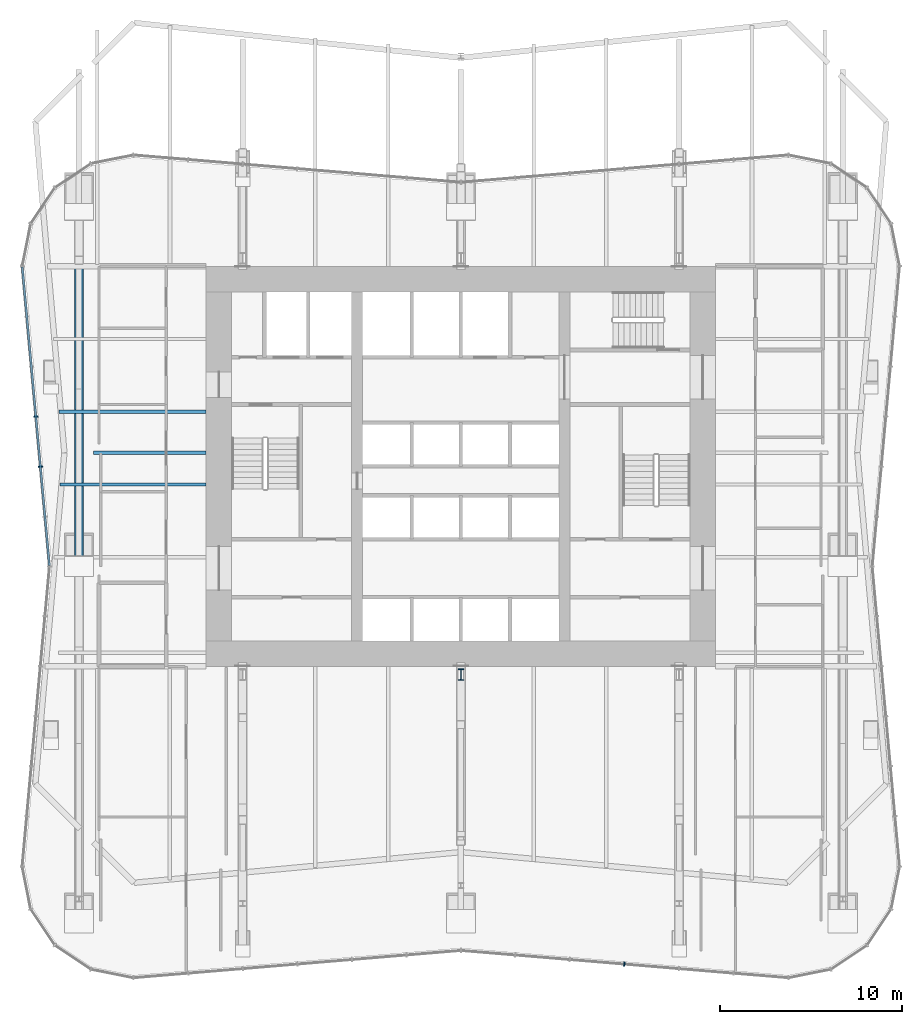
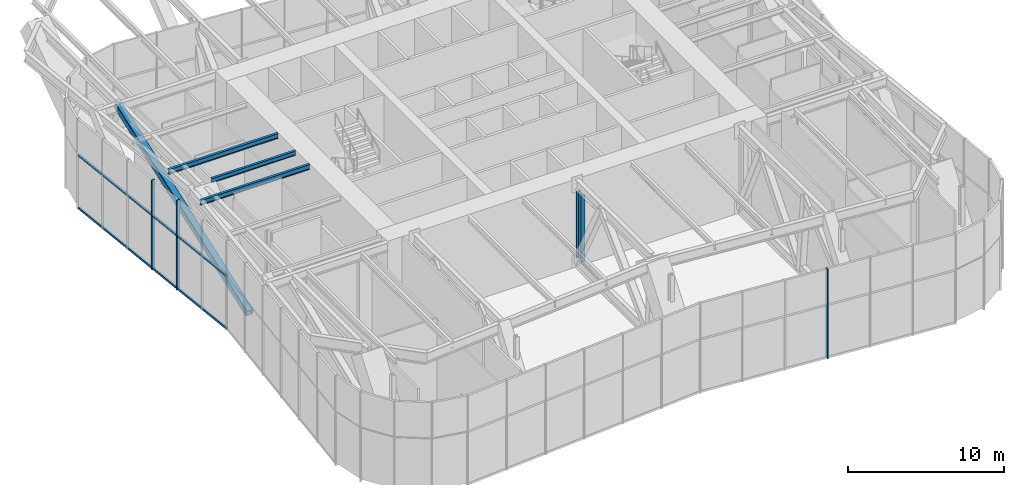
# One storey, part 6 of 17: 7 members, 3 beams, 2 elements without a shape of their own.
"""IFC4 building model written with IfcOpenShell, lengths in metres."""

from ifc_helpers import new_model, si_unit, direction, frame, origin, origin_2d, place, context, subcontext, project, spatial, rectangle, hollow_rectangle, i_section, extrude, material, material_profile, profile_set, type_object, element, aggregate, save


model = new_model("IFC4")

# Units and contexts
model_context = context("Model", 3, precision=1e-05, world=origin(), true_north=direction((0.0, 1.0)))
body_context = subcontext(model_context, "Body", "Model", "MODEL_VIEW")
ifc_project = project(units=[si_unit("LENGTHUNIT", "METRE"), si_unit("AREAUNIT", "SQUARE_METRE"), si_unit("VOLUMEUNIT", "CUBIC_METRE"), si_unit("PLANEANGLEUNIT", "RADIAN"), si_unit("MASSUNIT", "GRAM", prefix="KILO")], contexts=[model_context])

# Site, building, storey
site_placement = place(None, origin())
site = spatial("IfcSite", under=ifc_project, at=site_placement, CompositionType="ELEMENT")
building_placement = place(site_placement, origin())
building = spatial("IfcBuilding", under=site, at=building_placement, Name="Verdant Reach Tower", CompositionType="ELEMENT")
storey_placement = place(building_placement, frame((0.0, 0.0, 58.0)))
storey = spatial("IfcBuildingStorey", under=building, at=storey_placement, Name="L13 Plant", CompositionType="ELEMENT", Elevation=58.0)

# Curtain wall, members
ifc_material_1 = material(Name="Anodised aluminium", Category="aluminium")
curtain_wall_type = type_object("IfcCurtainWallType", Name="EN-CW SYSTEM PLANT", PredefinedType="NOTDEFINED", material=ifc_material_1)
curtain_wall_1_placement = place(storey_placement, origin())
curtain_wall_1 = element("IfcCurtainWall", 1, at=curtain_wall_1_placement, inside=storey, type_object=curtain_wall_type, Name="Curtain wall west, L13", PredefinedType="NOTDEFINED")
ifc_material_profile_1 = material_profile(ifc_material_1, rectangle(XDim=0.238037109375, YDim=0.080078125, at=origin_2d()), Name="Mullion 80x240")
ifc_profile_set_1 = profile_set([ifc_material_profile_1], Name="Anodised aluminium")
member_type_1 = type_object("IfcMemberType", Name="EN-MULLION PLANT", PredefinedType="MULLION", material=ifc_profile_set_1)
member_1_placement = place(storey_placement, frame((-23.368408203125, 30.7392578125, -0.35009765625), z_axis=(0.0, 0.0, 1.0), x_axis=(-0.995893206467, -0.090535746047, 0.0)))
member_1 = element("IfcMember", 2, at=member_1_placement, type_object=member_type_1, Name="Mullion west face part 1 4, L13", PredefinedType="MULLION", context=body_context, shape_type="SweptSolid", body=[
    extrude(rectangle(XDim=0.238037109375, YDim=0.080078125, at=origin_2d()), origin(), (0.0, 0.0, 1.0), 7.0),
])
member_2_placement = place(storey_placement, frame((-23.118408203125, 27.9892578125, -0.35009765625), z_axis=(0.0, 0.0, 1.0), x_axis=(-0.995893206467, -0.090535746047, 0.0)))
member_2 = element("IfcMember", 3, at=member_2_placement, type_object=member_type_1, Name="Mullion west face part 1 5, L13", PredefinedType="MULLION", context=body_context, shape_type="SweptSolid", body=[
    extrude(rectangle(XDim=0.238037109375, YDim=0.080078125, at=origin_2d()), origin(), (0.0, 0.0, 1.0), 7.0),
])

# Curtain wall, member
curtain_wall_2_placement = place(storey_placement, origin())
curtain_wall_2 = element("IfcCurtainWall", 4, at=curtain_wall_2_placement, inside=storey, type_object=curtain_wall_type, Name="Curtain wall south, L13", PredefinedType="NOTDEFINED")
member_3_placement = place(storey_placement, frame((8.990234375, 0.63134765625, -0.35009765625), z_axis=(0.0, 0.0, 1.0), x_axis=(-0.083045479859, -0.996545758244, 0.0)))
member_3 = element("IfcMember", 5, at=member_3_placement, type_object=member_type_1, Name="Mullion south face part 2 4, L13", PredefinedType="MULLION", context=body_context, shape_type="SweptSolid", body=[
    extrude(rectangle(XDim=0.238037109375, YDim=0.080078125, at=origin_2d()), origin(), (0.0, 0.0, 1.0), 7.0),
])
aggregate(curtain_wall_2, [member_3])

# Member
ifc_material_profile_2 = material_profile(ifc_material_1, rectangle(XDim=0.1201171875, YDim=0.14990234375, at=origin_2d()), Name="Transom 150x120")
ifc_profile_set_2 = profile_set([ifc_material_profile_2], Name="Anodised aluminium")
member_type_2 = type_object("IfcMemberType", Name="EN-TRANSOM PLANT", PredefinedType="USERDEFINED", material=ifc_profile_set_2)
member_4_placement = place(storey_placement, frame((-24.115234375, 38.966552734375, -0.27490234375), z_axis=(0.090495709418, -0.995896845349, 0.0), x_axis=(0.995896845349, 0.090495709418, 0.0)))
member_4 = element("IfcMember", 6, at=member_4_placement, type_object=member_type_2, Name="Transom west face part 1 1.1, L13", ObjectType="TRANSOM", PredefinedType="USERDEFINED", context=body_context, shape_type="SweptSolid", body=[
    extrude(rectangle(XDim=0.1201171875, YDim=0.14990234375, at=origin_2d()), origin(), (0.0, 0.0, 1.0), 16.494384765625),
])

member_5_placement = place(storey_placement, frame((-24.115234375, 38.966552734375, 3.85009765625), z_axis=(0.090495709418, -0.995896845349, 0.0), x_axis=(0.995896845349, 0.090495709418, 0.0)))
member_5 = element("IfcMember", 7, at=member_5_placement, type_object=member_type_2, Name="Transom west face part 1 1.2, L13", ObjectType="TRANSOM", PredefinedType="USERDEFINED", context=body_context, shape_type="SweptSolid", body=[
    extrude(rectangle(XDim=0.1201171875, YDim=0.14990234375, at=origin_2d()), origin(), (0.0, 0.0, 1.0), 16.494384765625),
])

aggregate(curtain_wall_1, [member_1, member_2, member_4, member_5])

# Beams
ifc_material_2 = material(Name="Steel S355", Category="steel")
ifc_material_profile_3 = material_profile(ifc_material_2, i_section(OverallWidth=0.169921875, OverallDepth=0.360107421875, WebThickness=0.008056640625, FlangeThickness=0.0126953125, FilletRadius=0.01806640625, at=origin_2d()), Name="IPE 360")
ifc_profile_set_3 = profile_set([ifc_material_profile_3], Name="Steel S355")
beam_type_1 = type_object("IfcBeamType", Name="ST-JOIST-IPE360", PredefinedType="JOIST", material=ifc_profile_set_3)
beam_1_placement = place(storey_placement, frame((-14.0, 28.75, 6.68994140625), z_axis=(-1.0, 0.0, 0.0), x_axis=(0.0, -1.0, 0.0)))
element("IfcBeam", 8, at=beam_1_placement, inside=storey, type_object=beam_type_1, Name="Floor joist, L13 Plant", PredefinedType="JOIST", context=body_context, shape_type="SweptSolid", body=[
    extrude(i_section(OverallWidth=0.169921875, OverallDepth=0.360107421875, WebThickness=0.008056640625, FlangeThickness=0.0126953125, FilletRadius=0.01806640625, at=origin_2d()), origin(), (0.0, 0.0, 1.0), 6.199951171875),
])
ifc_material_profile_4 = material_profile(ifc_material_2, i_section(OverallWidth=0.179931640625, OverallDepth=0.39990234375, WebThickness=0.008544921875, FlangeThickness=0.013427734375, FilletRadius=0.02099609375, at=origin_2d()), Name="IPE 400")
ifc_profile_set_4 = profile_set([ifc_material_profile_4], Name="Steel S355")
beam_type_2 = type_object("IfcBeamType", Name="ST-JOIST-IPE400", PredefinedType="JOIST", material=ifc_profile_set_4)
beam_2_placement = place(storey_placement, frame((-14.0, 27.0, 6.669921875), z_axis=(-1.0, 0.0, 0.0), x_axis=(0.0, -1.0, 0.0)))
element("IfcBeam", 9, at=beam_2_placement, inside=storey, type_object=beam_type_2, Name="Floor joist, L13 Plant", PredefinedType="JOIST", context=body_context, shape_type="SweptSolid", body=[
    extrude(i_section(OverallWidth=0.179931640625, OverallDepth=0.39990234375, WebThickness=0.008544921875, FlangeThickness=0.013427734375, FilletRadius=0.02099609375, at=origin_2d()), origin(), (0.0, 0.0, 1.0), 8.041748046875),
])
beam_3_placement = place(storey_placement, frame((-14.0, 31.0, 6.669921875), z_axis=(-1.0, 0.0, 0.0), x_axis=(0.0, -1.0, 0.0)))
element("IfcBeam", 10, at=beam_3_placement, inside=storey, type_object=beam_type_2, Name="Floor joist, L13 Plant", PredefinedType="JOIST", context=body_context, shape_type="SweptSolid", body=[
    extrude(i_section(OverallWidth=0.179931640625, OverallDepth=0.39990234375, WebThickness=0.008544921875, FlangeThickness=0.013427734375, FilletRadius=0.02099609375, at=origin_2d()), origin(), (0.0, 0.0, 1.0), 8.0830078125),
])

# Members
ifc_material_3 = material(Name="Steel S460", Category="steel")
ifc_material_profile_5 = material_profile(ifc_material_3, hollow_rectangle(XDim=0.5, YDim=0.5, WallThickness=0.02490234375, InnerFilletRadius=0.02490234375, OuterFilletRadius=0.050048828125, at=origin_2d()), Name="RHS 500x500x25")
ifc_profile_set_5 = profile_set([ifc_material_profile_5], Name="Steel S460")
member_type_3 = type_object("IfcMemberType", Name="ST-TRUSS-BRACE-RHS500x500x25", PredefinedType="BRACE", material=ifc_profile_set_5)
member_6_placement = place(storey_placement, frame((-21.0, 22.507080078125, 0.406982421875), z_axis=(0.0, 0.940956635088, 0.338527119865), x_axis=(-1.0, 0.0, 0.0)))
element("IfcMember", 11, at=member_6_placement, inside=storey, type_object=member_type_3, Name="Transfer truss B west, diagonal, L13 Plant", PredefinedType="BRACE", context=body_context, shape_type="SweptSolid", body=[
    extrude(hollow_rectangle(XDim=0.5, YDim=0.5, WallThickness=0.02490234375, InnerFilletRadius=0.02490234375, OuterFilletRadius=0.050048828125, at=origin_2d()), origin(), (0.0, 0.0, 1.0), 17.888916015625),
])
ifc_material_profile_6 = material_profile(ifc_material_3, i_section(OverallWidth=0.304931640625, OverallDepth=0.6201171875, WebThickness=0.02099609375, FlangeThickness=0.0400390625, FilletRadius=0.027099609375, at=origin_2d()), Name="HEM 600")
ifc_profile_set_6 = profile_set([ifc_material_profile_6], Name="Steel S460")
member_type_4 = type_object("IfcMemberType", Name="ST-TRUSS-POST-HEM600", PredefinedType="POST", material=ifc_profile_set_6)
member_7_placement = place(storey_placement, frame((0.0, 16.550048828125, 0.833984375), z_axis=(0.0, 0.0, 1.0), x_axis=(1.0, 0.0, 0.0)))
element("IfcMember", 12, at=member_7_placement, inside=storey, type_object=member_type_4, Name="Outrigger truss D south, end post, L13 Plant", PredefinedType="POST", context=body_context, shape_type="SweptSolid", body=[
    extrude(i_section(OverallWidth=0.304931640625, OverallDepth=0.6201171875, WebThickness=0.02099609375, FlangeThickness=0.0400390625, FilletRadius=0.027099609375, at=origin_2d()), origin(), (0.0, 0.0, 1.0), 5.201904296875),
])

save(model, "model.ifc")
